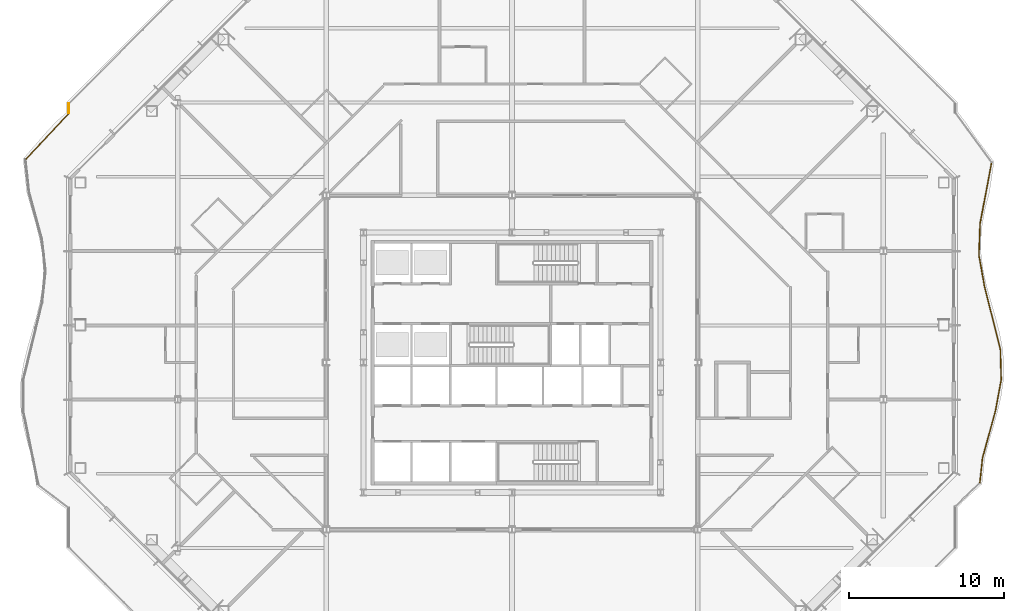
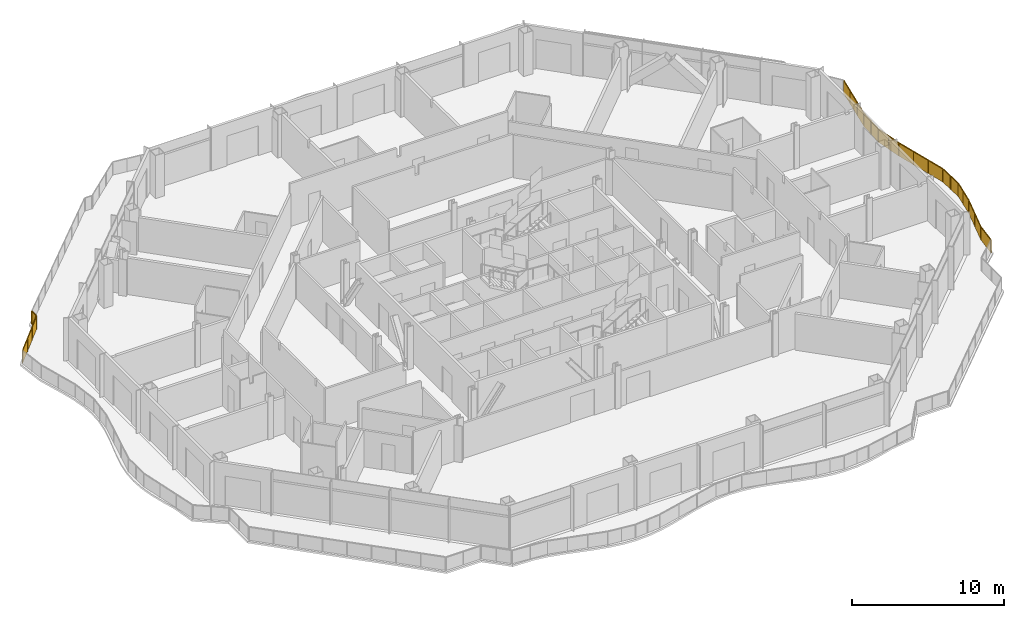
# One storey, part 21 of 24: 3 railings.
"""IFC4 building model written with IfcOpenShell, lengths in metres."""

from ifc_helpers import new_model, si_unit, direction, frame, origin, origin_2d, place, context, subcontext, project, spatial, polyline, rectangle, outline, extrude, material, type_object, element, save


model = new_model("IFC4")

# Units and contexts
model_context = context("Model", 3, precision=1e-05, world=origin(), true_north=direction((0.0, 1.0)))
body_context = subcontext(model_context, "Body", "Model", "MODEL_VIEW")
ifc_project = project(units=[si_unit("LENGTHUNIT", "METRE"), si_unit("AREAUNIT", "SQUARE_METRE"), si_unit("VOLUMEUNIT", "CUBIC_METRE"), si_unit("PLANEANGLEUNIT", "RADIAN"), si_unit("MASSUNIT", "GRAM", prefix="KILO")], contexts=[model_context])

# Site, building, storey
site_placement = place(None, origin())
site = spatial("IfcSite", under=ifc_project, at=site_placement, CompositionType="ELEMENT")
building_placement = place(site_placement, origin())
building = spatial("IfcBuilding", under=site, at=building_placement, Name="Cairn Pilgrim Tower", CompositionType="ELEMENT")
storey_placement = place(building_placement, frame((0.0, 0.0, 125.39990234375)))
storey = spatial("IfcBuildingStorey", under=building, at=storey_placement, Name="L30", CompositionType="ELEMENT", Elevation=125.39990234375)

# Railings
ifc_material = material(Name="Bronze anodised aluminium rail and posts with laminated glass infill", Category="aluminium")
railing_type = type_object("IfcRailingType", Name="BALCONY GUARD 1100", PredefinedType="GUARDRAIL", material=ifc_material)
railing_1_placement = place(storey_placement, frame((37.433837890625, -5.38232421875, 0.0)))
element("IfcRailing", 1, at=railing_1_placement, inside=storey, type_object=railing_type, Name="Balcony guard BG-6", PredefinedType="GUARDRAIL", context=body_context, shape_type="SweptSolid", body=[
    extrude(rectangle(XDim=0.050048828125, YDim=0.050048828125, at=origin_2d()), frame((0.0, 0.0, 1.0751953125), z_axis=(0.107801826791, 0.994172402625, 0.0), x_axis=(-0.994172402625, 0.107801826791, 0.0)), (0.0, 0.0, 1.0), 1.630615234375),
    extrude(rectangle(XDim=0.050048828125, YDim=0.050048828125, at=origin_2d()), frame((0.17578125, 1.62109375, 1.0751953125), z_axis=(0.265536563011, 0.964100790221, 0.0), x_axis=(-0.964100790221, 0.265536563011, 0.0)), (0.0, 0.0, 1.0), 3.14990234375),
    extrude(rectangle(XDim=0.050048828125, YDim=0.050048828125, at=origin_2d()), frame((1.01220703125, 4.657958984375, 1.0751953125), z_axis=(0.181685040883, 0.983356774482, 0.0), x_axis=(-0.983356774482, 0.181685040883, 0.0)), (0.0, 0.0, 1.0), 2.033203125),
    extrude(rectangle(XDim=0.050048828125, YDim=0.050048828125, at=origin_2d()), frame((1.381591796875, 6.6572265625, 1.0751953125), z_axis=(-0.026755304945, 0.999642012751, 0.0), x_axis=(-0.999642012751, -0.026755304945, 0.0)), (0.0, 0.0, 1.0), 1.9892578125),
    extrude(rectangle(XDim=0.050048828125, YDim=0.050048828125, at=origin_2d()), frame((1.328369140625, 8.645751953125, 1.0751953125), z_axis=(-0.246014670835, 0.969266104707, 0.0), x_axis=(-0.969266104707, -0.246014670835, 0.0)), (0.0, 0.0, 1.0), 4.1591796875),
    extrude(rectangle(XDim=0.050048828125, YDim=0.050048828125, at=origin_2d()), frame((0.30517578125, 12.677001953125, 1.0751953125), z_axis=(-0.174678340577, 0.984625551838, 0.0), x_axis=(-0.984625551838, -0.174678340577, 0.0)), (0.0, 0.0, 1.0), 2.07421875),
    extrude(rectangle(XDim=0.050048828125, YDim=0.050048828125, at=origin_2d()), frame((-0.05712890625, 14.71923828125, 1.0751953125), z_axis=(0.036209849743, 0.999344208359, 0.0), x_axis=(-0.999344208359, 0.036209849743, 0.0)), (0.0, 0.0, 1.0), 2.0498046875),
    extrude(rectangle(XDim=0.050048828125, YDim=0.050048828125, at=origin_2d()), frame((0.01708984375, 16.767578125, 1.0751953125), z_axis=(0.185530142989, 0.982638573455, 0.0), x_axis=(-0.982638573455, 0.185530142989, 0.0)), (0.0, 0.0, 1.0), 3.96484375),
    extrude(rectangle(XDim=0.050048828125, YDim=0.050048828125, at=origin_2d()), origin(), (0.0, 0.0, 1.0), 1.050048828125),
    extrude(rectangle(XDim=0.050048828125, YDim=0.050048828125, at=origin_2d()), frame((0.17578125, 1.62109375, 0.0)), (0.0, 0.0, 1.0), 1.050048828125),
    extrude(rectangle(XDim=0.050048828125, YDim=0.050048828125, at=origin_2d()), frame((0.593994140625, 3.1396484375, 0.0)), (0.0, 0.0, 1.0), 1.050048828125),
    extrude(rectangle(XDim=0.050048828125, YDim=0.050048828125, at=origin_2d()), frame((1.01220703125, 4.657958984375, 0.0)), (0.0, 0.0, 1.0), 1.050048828125),
    extrude(rectangle(XDim=0.050048828125, YDim=0.050048828125, at=origin_2d()), frame((1.19677734375, 5.65771484375, 0.0)), (0.0, 0.0, 1.0), 1.050048828125),
    extrude(rectangle(XDim=0.050048828125, YDim=0.050048828125, at=origin_2d()), frame((1.381591796875, 6.6572265625, 0.0)), (0.0, 0.0, 1.0), 1.050048828125),
    extrude(rectangle(XDim=0.050048828125, YDim=0.050048828125, at=origin_2d()), frame((1.35498046875, 7.6513671875, 0.0)), (0.0, 0.0, 1.0), 1.050048828125),
    extrude(rectangle(XDim=0.050048828125, YDim=0.050048828125, at=origin_2d()), frame((1.328369140625, 8.645751953125, 0.0)), (0.0, 0.0, 1.0), 1.050048828125),
    extrude(rectangle(XDim=0.050048828125, YDim=0.050048828125, at=origin_2d()), frame((0.9873046875, 9.989501953125, 0.0)), (0.0, 0.0, 1.0), 1.050048828125),
    extrude(rectangle(XDim=0.050048828125, YDim=0.050048828125, at=origin_2d()), frame((0.646240234375, 11.333251953125, 0.0)), (0.0, 0.0, 1.0), 1.050048828125),
    extrude(rectangle(XDim=0.050048828125, YDim=0.050048828125, at=origin_2d()), frame((0.30517578125, 12.677001953125, 0.0)), (0.0, 0.0, 1.0), 1.050048828125),
    extrude(rectangle(XDim=0.050048828125, YDim=0.050048828125, at=origin_2d()), frame((0.1240234375, 13.6982421875, 0.0)), (0.0, 0.0, 1.0), 1.050048828125),
    extrude(rectangle(XDim=0.050048828125, YDim=0.050048828125, at=origin_2d()), frame((-0.05712890625, 14.71923828125, 0.0)), (0.0, 0.0, 1.0), 1.050048828125),
    extrude(rectangle(XDim=0.050048828125, YDim=0.050048828125, at=origin_2d()), frame((-0.02001953125, 15.743408203125, 0.0)), (0.0, 0.0, 1.0), 1.050048828125),
    extrude(rectangle(XDim=0.050048828125, YDim=0.050048828125, at=origin_2d()), frame((0.01708984375, 16.767578125, 0.0)), (0.0, 0.0, 1.0), 1.050048828125),
    extrude(rectangle(XDim=0.050048828125, YDim=0.050048828125, at=origin_2d()), frame((0.26220703125, 18.066162109375, 0.0)), (0.0, 0.0, 1.0), 1.050048828125),
    extrude(rectangle(XDim=0.050048828125, YDim=0.050048828125, at=origin_2d()), frame((0.507568359375, 19.364990234375, 0.0)), (0.0, 0.0, 1.0), 1.050048828125),
    extrude(rectangle(XDim=0.050048828125, YDim=0.050048828125, at=origin_2d()), frame((0.752685546875, 20.66357421875, 0.0)), (0.0, 0.0, 1.0), 1.050048828125),
    extrude(outline(polyline([(0.02490234375, 0.0), (1.60546875, 0.0), (1.60546875, 1.050048828125), (0.02490234375, 1.050048828125), (0.02490234375, 0.0)])), frame((-0.005859375, 0.000732421875, 0.0), z_axis=(0.994172402625, -0.107801826791, 0.0), x_axis=(0.107801826791, 0.994172402625, 0.0)), (0.0, 0.0, 1.0), 0.011962890625),
    extrude(outline(polyline([(0.02490234375, 0.0), (1.550048828125, 0.0), (1.550048828125, 1.050048828125), (0.02490234375, 1.050048828125), (0.02490234375, 0.0)])), frame((0.169921875, 1.622802734375, 0.0), z_axis=(0.964100790221, -0.265536563011, 0.0), x_axis=(0.265536563011, 0.964100790221, 0.0)), (0.0, 0.0, 1.0), 0.011962890625),
    extrude(outline(polyline([(0.02490234375, 0.0), (1.550048828125, 0.0), (1.550048828125, 1.050048828125), (0.02490234375, 1.050048828125), (0.02490234375, 0.0)])), frame((0.588134765625, 3.14111328125, 0.0), z_axis=(0.964100790221, -0.265536563011, 0.0), x_axis=(0.265536563011, 0.964100790221, 0.0)), (0.0, 0.0, 1.0), 0.011962890625),
    extrude(outline(polyline([(0.02490234375, 0.0), (0.991455078125, 0.0), (0.991455078125, 1.050048828125), (0.02490234375, 1.050048828125), (0.02490234375, 0.0)])), frame((1.00634765625, 4.658935546875, 0.0), z_axis=(0.983356774482, -0.181685040883, 0.0), x_axis=(0.181685040883, 0.983356774482, 0.0)), (0.0, 0.0, 1.0), 0.011962890625),
    extrude(outline(polyline([(0.02490234375, 0.0), (0.991455078125, 0.0), (0.991455078125, 1.050048828125), (0.02490234375, 1.050048828125), (0.02490234375, 0.0)])), frame((1.19091796875, 5.65869140625, 0.0), z_axis=(0.983356774482, -0.181685040883, 0.0), x_axis=(0.181685040883, 0.983356774482, 0.0)), (0.0, 0.0, 1.0), 0.011962890625),
    extrude(outline(polyline([(0.02490234375, 0.0), (0.969482421875, 0.0), (0.969482421875, 1.050048828125), (0.02490234375, 1.050048828125), (0.02490234375, 0.0)])), frame((1.375732421875, 6.656982421875, 0.0), z_axis=(0.999642012751, 0.026755304945, 0.0), x_axis=(-0.026755304945, 0.999642012751, 0.0)), (0.0, 0.0, 1.0), 0.011962890625),
    extrude(outline(polyline([(0.02490234375, 0.0), (0.969482421875, 0.0), (0.969482421875, 1.050048828125), (0.02490234375, 1.050048828125), (0.02490234375, 0.0)])), frame((1.34912109375, 7.6513671875, 0.0), z_axis=(0.999642012751, 0.026755304945, 0.0), x_axis=(-0.026755304945, 0.999642012751, 0.0)), (0.0, 0.0, 1.0), 0.011962890625),
    extrude(outline(polyline([(0.02490234375, 0.0), (1.361328125, 0.0), (1.361328125, 1.050048828125), (0.02490234375, 1.050048828125), (0.02490234375, 0.0)])), frame((1.322509765625, 8.644287109375, 0.0), z_axis=(0.969266104707, 0.246014670835, 0.0), x_axis=(-0.246014670835, 0.969266104707, 0.0)), (0.0, 0.0, 1.0), 0.011962890625),
    extrude(outline(polyline([(0.02490234375, 0.0), (1.361328125, 0.0), (1.361328125, 1.050048828125), (0.02490234375, 1.050048828125), (0.02490234375, 0.0)])), frame((0.9814453125, 9.988037109375, 0.0), z_axis=(0.969266104707, 0.246014670835, 0.0), x_axis=(-0.246014670835, 0.969266104707, 0.0)), (0.0, 0.0, 1.0), 0.011962890625),
    extrude(outline(polyline([(0.02490234375, 0.0), (1.361328125, 0.0), (1.361328125, 1.050048828125), (0.02490234375, 1.050048828125), (0.02490234375, 0.0)])), frame((0.640380859375, 11.331787109375, 0.0), z_axis=(0.969266104707, 0.246014670835, 0.0), x_axis=(-0.246014670835, 0.969266104707, 0.0)), (0.0, 0.0, 1.0), 0.011962890625),
    extrude(outline(polyline([(0.02490234375, 0.0), (1.011962890625, 0.0), (1.011962890625, 1.050048828125), (0.02490234375, 1.050048828125), (0.02490234375, 0.0)])), frame((0.29931640625, 12.676025390625, 0.0), z_axis=(0.984625551838, 0.174678340577, 0.0), x_axis=(-0.174678340577, 0.984625551838, 0.0)), (0.0, 0.0, 1.0), 0.011962890625),
    extrude(outline(polyline([(0.02490234375, 0.0), (1.011962890625, 0.0), (1.011962890625, 1.050048828125), (0.02490234375, 1.050048828125), (0.02490234375, 0.0)])), frame((0.1181640625, 13.697021484375, 0.0), z_axis=(0.984625551838, 0.174678340577, 0.0), x_axis=(-0.174678340577, 0.984625551838, 0.0)), (0.0, 0.0, 1.0), 0.011962890625),
    extrude(outline(polyline([(0.02490234375, 0.0), (0.999755859375, 0.0), (0.999755859375, 1.050048828125), (0.02490234375, 1.050048828125), (0.02490234375, 0.0)])), frame((-0.06298828125, 14.719482421875, 0.0), z_axis=(0.999344208359, -0.036209849743, 0.0), x_axis=(0.036209849743, 0.999344208359, 0.0)), (0.0, 0.0, 1.0), 0.011962890625),
    extrude(outline(polyline([(0.02490234375, 0.0), (0.999755859375, 0.0), (0.999755859375, 1.050048828125), (0.02490234375, 1.050048828125), (0.02490234375, 0.0)])), frame((-0.02587890625, 15.74365234375, 0.0), z_axis=(0.999344208359, -0.036209849743, 0.0), x_axis=(0.036209849743, 0.999344208359, 0.0)), (0.0, 0.0, 1.0), 0.011962890625),
    extrude(outline(polyline([(0.02490234375, 0.0), (1.296630859375, 0.0), (1.296630859375, 1.050048828125), (0.02490234375, 1.050048828125), (0.02490234375, 0.0)])), frame((0.01123046875, 16.768798828125, 0.0), z_axis=(0.982638573455, -0.185530142989, 0.0), x_axis=(0.185530142989, 0.982638573455, 0.0)), (0.0, 0.0, 1.0), 0.011962890625),
    extrude(outline(polyline([(0.02490234375, 0.0), (1.296630859375, 0.0), (1.296630859375, 1.050048828125), (0.02490234375, 1.050048828125), (0.02490234375, 0.0)])), frame((0.25634765625, 18.0673828125, 0.0), z_axis=(0.982638573455, -0.185530142989, 0.0), x_axis=(0.185530142989, 0.982638573455, 0.0)), (0.0, 0.0, 1.0), 0.011962890625),
    extrude(outline(polyline([(0.02490234375, 0.0), (1.296630859375, 0.0), (1.296630859375, 1.050048828125), (0.02490234375, 1.050048828125), (0.02490234375, 0.0)])), frame((0.501708984375, 19.365966796875, 0.0), z_axis=(0.982638573455, -0.185530142989, 0.0), x_axis=(0.185530142989, 0.982638573455, 0.0)), (0.0, 0.0, 1.0), 0.011962890625),
])
railing_2_placement = place(storey_placement, frame((-21.449951171875, 19.137939453125, 0.0)))
element("IfcRailing", 2, at=railing_2_placement, inside=storey, type_object=railing_type, Name="Balcony guard BG-16", PredefinedType="GUARDRAIL", context=body_context, shape_type="SweptSolid", body=[
    extrude(rectangle(XDim=0.050048828125, YDim=0.050048828125, at=origin_2d()), frame((0.0, 0.0, 1.0751953125), z_axis=(0.0, -1.0, 0.0), x_axis=(1.0, 0.0, 0.0)), (0.0, 0.0, 1.0), 0.590087890625),
    extrude(rectangle(XDim=0.050048828125, YDim=0.050048828125, at=origin_2d()), origin(), (0.0, 0.0, 1.0), 1.050048828125),
    extrude(rectangle(XDim=0.050048828125, YDim=0.050048828125, at=origin_2d()), frame((0.0, -0.590087890625, 0.0)), (0.0, 0.0, 1.0), 1.050048828125),
    extrude(outline(polyline([(0.02490234375, 0.0), (0.56494140625, 0.0), (0.56494140625, 1.050048828125), (0.02490234375, 1.050048828125), (0.02490234375, 0.0)])), frame((0.005859375, 0.0, 0.0), z_axis=(-1.0, 0.0, 0.0), x_axis=(0.0, -1.0, 0.0)), (0.0, 0.0, 1.0), 0.011962890625),
])
railing_3_placement = place(storey_placement, frame((-21.449951171875, 18.48779296875, 0.0)))
element("IfcRailing", 3, at=railing_3_placement, inside=storey, type_object=railing_type, Name="Balcony guard BG-17", PredefinedType="GUARDRAIL", context=body_context, shape_type="SweptSolid", body=[
    extrude(rectangle(XDim=0.050048828125, YDim=0.050048828125, at=origin_2d()), frame((0.0, 0.0, 1.0751953125), z_axis=(-0.684185201033, -0.729308309762, 0.0), x_axis=(0.729308309762, -0.684185201033, 0.0)), (0.0, 0.0, 1.0), 4.025390625),
    extrude(rectangle(XDim=0.050048828125, YDim=0.050048828125, at=origin_2d()), origin(), (0.0, 0.0, 1.0), 1.050048828125),
    extrude(rectangle(XDim=0.050048828125, YDim=0.050048828125, at=origin_2d()), frame((-0.91796875, -0.978515625, 0.0)), (0.0, 0.0, 1.0), 1.050048828125),
    extrude(rectangle(XDim=0.050048828125, YDim=0.050048828125, at=origin_2d()), frame((-1.836181640625, -1.957275390625, 0.0)), (0.0, 0.0, 1.0), 1.050048828125),
    extrude(rectangle(XDim=0.050048828125, YDim=0.050048828125, at=origin_2d()), frame((-2.754150390625, -2.935791015625, 0.0)), (0.0, 0.0, 1.0), 1.050048828125),
    extrude(outline(polyline([(0.02490234375, 0.0), (1.31689453125, 0.0), (1.31689453125, 1.050048828125), (0.02490234375, 1.050048828125), (0.02490234375, 0.0)])), frame((0.00439453125, -0.004150390625, 0.0), z_axis=(-0.729308309762, 0.684185201033, 0.0), x_axis=(-0.684185201033, -0.729308309762, 0.0)), (0.0, 0.0, 1.0), 0.011962890625),
    extrude(outline(polyline([(0.02490234375, 0.0), (1.31689453125, 0.0), (1.31689453125, 1.050048828125), (0.02490234375, 1.050048828125), (0.02490234375, 0.0)])), frame((-0.91357421875, -0.982666015625, 0.0), z_axis=(-0.729308309762, 0.684185201033, 0.0), x_axis=(-0.684185201033, -0.729308309762, 0.0)), (0.0, 0.0, 1.0), 0.011962890625),
    extrude(outline(polyline([(0.02490234375, 0.0), (1.31689453125, 0.0), (1.31689453125, 1.050048828125), (0.02490234375, 1.050048828125), (0.02490234375, 0.0)])), frame((-1.831787109375, -1.961181640625, 0.0), z_axis=(-0.729308309762, 0.684185201033, 0.0), x_axis=(-0.684185201033, -0.729308309762, 0.0)), (0.0, 0.0, 1.0), 0.011962890625),
])

save(model, "model.ifc")
